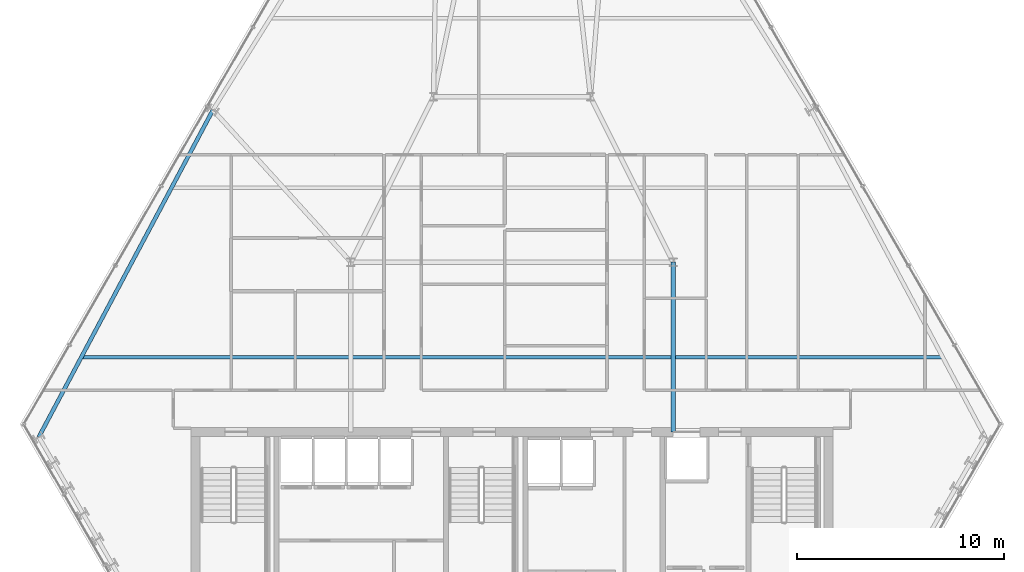
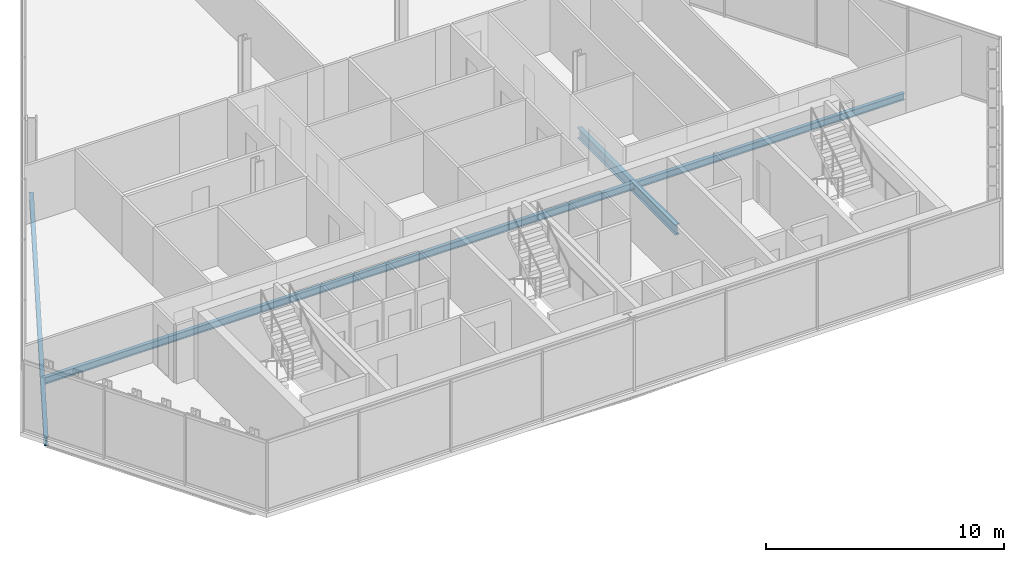
# One storey, part 10 of 31: 3 beams.
"""IFC4 building model written with IfcOpenShell, lengths in metres."""

from ifc_helpers import new_model, si_unit, direction, frame, origin, origin_2d, place, context, subcontext, project, spatial, i_section, extrude, material, material_profile, profile_set, type_object, element, save


model = new_model("IFC4")

# Units and contexts
model_context = context("Model", 3, precision=1e-05, world=origin(), true_north=direction((0.0, 1.0)))
body_context = subcontext(model_context, "Body", "Model", "MODEL_VIEW")
ifc_project = project(units=[si_unit("LENGTHUNIT", "METRE"), si_unit("AREAUNIT", "SQUARE_METRE"), si_unit("VOLUMEUNIT", "CUBIC_METRE"), si_unit("PLANEANGLEUNIT", "RADIAN"), si_unit("MASSUNIT", "GRAM", prefix="KILO")], contexts=[model_context])

# Site, building, storey
site_placement = place(None, origin())
site = spatial("IfcSite", under=ifc_project, at=site_placement, CompositionType="ELEMENT")
building_placement = place(site_placement, origin())
building = spatial("IfcBuilding", under=site, at=building_placement, Name="Ndaravel Arena Tower", CompositionType="ELEMENT")
storey_placement = place(building_placement, frame((0.0, 0.0, 142.199951171875)))
storey = spatial("IfcBuildingStorey", under=building, at=storey_placement, Name="L33", CompositionType="ELEMENT", Elevation=142.199951171875)

# Beams
ifc_material_1 = material(Name="Steel S355", Category="steel")
ifc_material_profile_1 = material_profile(ifc_material_1, i_section(OverallWidth=0.210693359375, OverallDepth=0.53955078125, WebThickness=0.01171875, FlangeThickness=0.018798828125, FilletRadius=0.0126953125, at=origin_2d()), Name="UB 533x210x109")
ifc_profile_set_1 = profile_set([ifc_material_profile_1], Name="Steel S355")
beam_type_1 = type_object("IfcBeamType", Name="BM-GIRD-UB533", PredefinedType="BEAM", material=ifc_profile_set_1)
beam_1_placement = place(storey_placement, frame((49.800048828125, 14.97998046875, -0.48974609375), z_axis=(0.0, 1.0, 0.0), x_axis=(-1.0, 0.0, 0.0)))
element("IfcBeam", 1, at=beam_1_placement, inside=storey, type_object=beam_type_1, Name="L33 Spine Link Girder SLG-02", PredefinedType="BEAM", context=body_context, shape_type="SweptSolid", body=[
    extrude(i_section(OverallWidth=0.210693359375, OverallDepth=0.53955078125, WebThickness=0.01171875, FlangeThickness=0.018798828125, FilletRadius=0.0126953125, at=origin_2d()), origin(), (0.0, 0.0, 1.0), 8.219970703125),
])
ifc_material_2 = material(Name="Steel S355", Category="steel")
ifc_material_profile_2 = material_profile(ifc_material_2, i_section(OverallWidth=0.172119140625, OverallDepth=0.35791015625, WebThickness=0.008056640625, FlangeThickness=0.012939453125, FilletRadius=0.01025390625, at=origin_2d()), Name="UB 356x171x57")
ifc_profile_set_2 = profile_set([ifc_material_profile_2], Name="Steel S355")
beam_type_2 = type_object("IfcBeamType", Name="BM-JOIST-UB356", PredefinedType="JOIST", material=ifc_profile_set_2)
beam_2_placement = place(storey_placement, frame((21.14794921875, 18.60009765625, -0.39892578125), z_axis=(1.0, 0.0, 0.0), x_axis=(0.0, 1.0, 0.0)))
element("IfcBeam", 2, at=beam_2_placement, inside=storey, type_object=beam_type_2, Name="L33 Composite Floor Joist FJ-01", PredefinedType="JOIST", context=body_context, shape_type="SweptSolid", body=[
    extrude(i_section(OverallWidth=0.172119140625, OverallDepth=0.35791015625, WebThickness=0.008056640625, FlangeThickness=0.012939453125, FilletRadius=0.01025390625, at=origin_2d()), origin(), (0.0, 0.0, 1.0), 41.7041015625),
])
ifc_material_3 = material(Name="Steel S355", Category="steel")
ifc_material_profile_3 = material_profile(ifc_material_3, i_section(OverallWidth=0.18994140625, OverallDepth=0.449951171875, WebThickness=0.009521484375, FlangeThickness=0.0146484375, FilletRadius=0.02099609375, at=origin_2d()), Name="IPE 450")
ifc_profile_set_3 = profile_set([ifc_material_profile_3], Name="Steel S355")
beam_type_3 = type_object("IfcBeamType", Name="BM-SPAN-IPE450", PredefinedType="SPANDREL", material=ifc_profile_set_3)
beam_3_placement = place(storey_placement, frame((27.517578125, 30.564208984375, -0.445068359375), z_axis=(-0.469938352002, -0.882699238313, 0.0), x_axis=(0.882699238313, -0.469938352002, 0.0)))
element("IfcBeam", 3, at=beam_3_placement, inside=storey, type_object=beam_type_3, Name="L33 Perimeter Spandrel Beam SP-19", PredefinedType="SPANDREL", context=body_context, shape_type="SweptSolid", body=[
    extrude(i_section(OverallWidth=0.18994140625, OverallDepth=0.449951171875, WebThickness=0.009521484375, FlangeThickness=0.0146484375, FilletRadius=0.02099609375, at=origin_2d()), origin(), (0.0, 0.0, 1.0), 17.94189453125),
])

save(model, "model.ifc")
